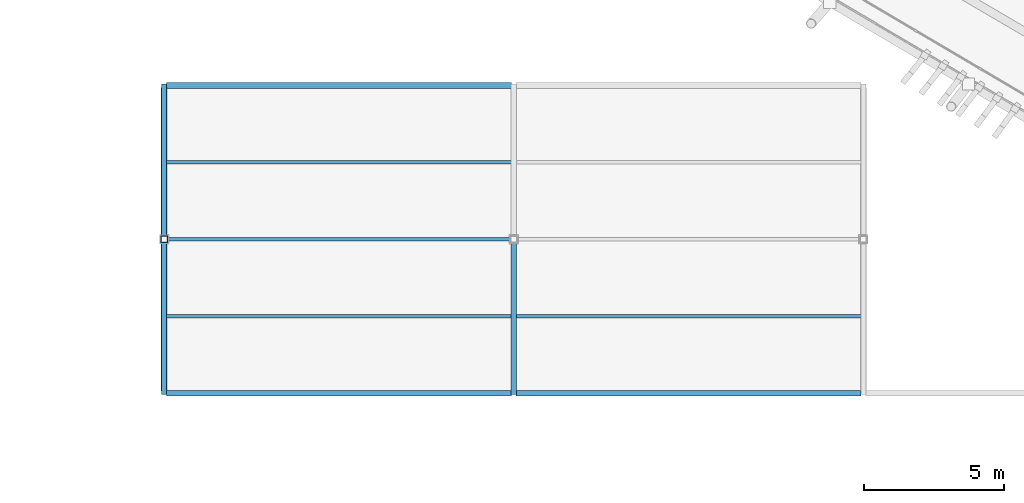
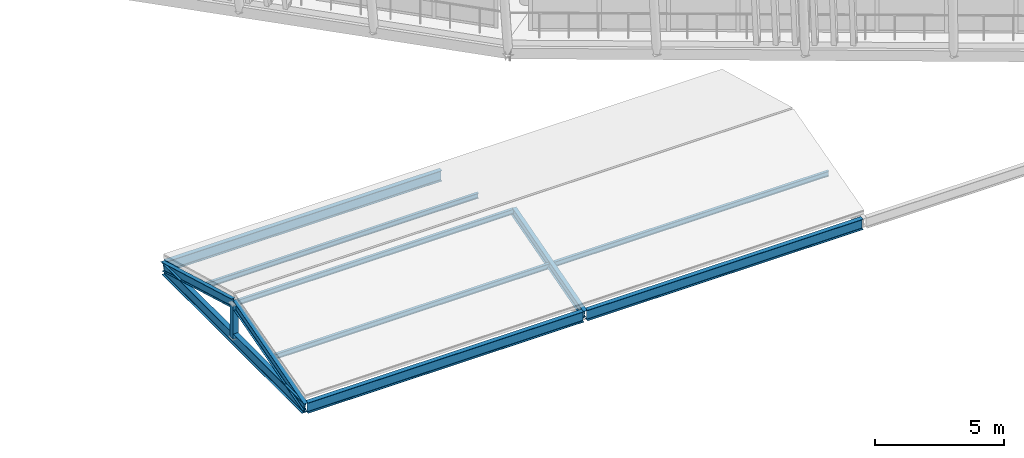
# One storey, part 23 of 179: 8 members, 4 beams.
"""IFC4 building model written with IfcOpenShell, lengths in metres."""

from ifc_helpers import new_model, si_unit, direction, frame, origin, origin_2d, place, context, subcontext, project, spatial, hollow_rectangle, i_section, extrude, material, material_profile, profile_set, type_object, element, save


model = new_model("IFC4")

# Units and contexts
model_context = context("Model", 3, precision=1e-05, world=origin(), true_north=direction((0.0, 1.0)))
body_context = subcontext(model_context, "Body", "Model", "MODEL_VIEW")
ifc_project = project(units=[si_unit("LENGTHUNIT", "METRE"), si_unit("AREAUNIT", "SQUARE_METRE"), si_unit("VOLUMEUNIT", "CUBIC_METRE"), si_unit("PLANEANGLEUNIT", "RADIAN"), si_unit("MASSUNIT", "GRAM", prefix="KILO")], contexts=[model_context])

# Site, building, storey
site_placement = place(None, origin())
site = spatial("IfcSite", under=ifc_project, at=site_placement, CompositionType="ELEMENT")
building_placement = place(site_placement, origin())
building = spatial("IfcBuilding", under=site, at=building_placement, Name="Zlatoyarsky Gate Stadium", CompositionType="ELEMENT")
storey_placement = place(building_placement, frame((0.0, 0.0, 10.60009765625)))
storey = spatial("IfcBuildingStorey", under=building, at=storey_placement, Name="L02", CompositionType="ELEMENT", Elevation=10.60009765625)

# Beams
ifc_material = material(Name="Steel S355", Category="steel")
ifc_material_profile_1 = material_profile(ifc_material, i_section(OverallWidth=0.199951171875, OverallDepth=0.5, WebThickness=0.01025390625, FlangeThickness=0.01611328125, FilletRadius=0.02099609375, at=origin_2d()), Name="IPE 500")
ifc_profile_set_1 = profile_set([ifc_material_profile_1], Name="Steel S355")
beam_type_1 = type_object("IfcBeamType", Name="STEEL FLOOR BEAM IPE 500", PredefinedType="BEAM", material=ifc_profile_set_1)
for number, where, z_axis, x_axis, name in (
    (1, (24.580078125, 11.0, -0.530029296875), (1.0, 0.0, 0.0), (0.0, 1.0, 0.0), "Beam B-IPE500 BM-L02-WGX-3-B"),
    (2, (24.580078125, 22.0, -0.530029296875), (1.0, 0.0, 0.0), (0.0, 1.0, 0.0), "Beam B-IPE500 BM-L02-WGX-3-C"),
    (3, (37.080078125, 11.0, -0.530029296875), (1.0, 0.0, 0.0), (0.0, 1.0, 0.0), "Beam B-IPE500 BM-L02-WGX-4-B"),
):
    element("IfcBeam", number, at=place(storey_placement, frame(where, z_axis=z_axis, x_axis=x_axis)), inside=storey, type_object=beam_type_1, Name=name, PredefinedType="BEAM", context=body_context, shape_type="SweptSolid", body=[
        extrude(i_section(OverallWidth=0.199951171875, OverallDepth=0.5, WebThickness=0.01025390625, FlangeThickness=0.01611328125, FilletRadius=0.02099609375, at=origin_2d()), origin(), (0.0, 0.0, 1.0), 12.33984375),
    ])
ifc_material_profile_2 = material_profile(ifc_material, i_section(OverallWidth=0.2099609375, OverallDepth=0.550048828125, WebThickness=0.010986328125, FlangeThickness=0.01708984375, FilletRadius=0.02392578125, at=origin_2d()), Name="IPE 550")
ifc_profile_set_2 = profile_set([ifc_material_profile_2], Name="Steel S355")
beam_type_2 = type_object("IfcBeamType", Name="STEEL FLOOR BEAM IPE 550", PredefinedType="BEAM", material=ifc_profile_set_2)
beam_placement = place(storey_placement, frame((24.5, 11.080078125, -0.55517578125), z_axis=(0.0, 1.0, 0.0), x_axis=(-1.0, 0.0, 0.0)))
element("IfcBeam", 4, at=beam_placement, inside=storey, type_object=beam_type_2, Name="Beam B-IPE550 BM-L02-WGY-3-B", PredefinedType="BEAM", context=body_context, shape_type="SweptSolid", body=[
    extrude(i_section(OverallWidth=0.2099609375, OverallDepth=0.550048828125, WebThickness=0.010986328125, FlangeThickness=0.01708984375, FilletRadius=0.02392578125, at=origin_2d()), origin(), (0.0, 0.0, 1.0), 10.83984375),
])

# Members
ifc_material_profile_3 = material_profile(ifc_material, i_section(OverallWidth=0.1201171875, OverallDepth=0.239990234375, WebThickness=0.006103515625, FlangeThickness=0.009765625, FilletRadius=0.014892578125, at=origin_2d()), Name="IPE 240")
ifc_profile_set_3 = profile_set([ifc_material_profile_3], Name="Steel S355")
member_type_1 = type_object("IfcMemberType", Name="STEEL PAVILION ROOF PURLIN IPE 240", PredefinedType="PURLIN", material=ifc_profile_set_3)
for number, where, z_axis, x_axis, name in (
    (5, (24.5, 16.5, 1.06982421875), (1.0, 0.0, 0.0), (0.0, 1.0, 0.0), "V6_SW ridge purlin 1"),
    (6, (24.5, 13.75, 0.14501953125), (1.0, 0.0, 0.0), (0.0, 1.0, 0.0), "V6_SW roof purlin 1S"),
    (7, (24.5, 19.25, 0.14501953125), (1.0, 0.0, 0.0), (0.0, 1.0, 0.0), "V6_SW roof purlin 1N"),
    (8, (37.0, 13.75, 0.14501953125), (1.0, 0.0, 0.0), (0.0, 1.0, 0.0), "V6_SW roof purlin 2S"),
):
    element("IfcMember", number, at=place(storey_placement, frame(where, z_axis=z_axis, x_axis=x_axis)), inside=storey, type_object=member_type_1, Name=name, PredefinedType="PURLIN", context=body_context, shape_type="SweptSolid", body=[
        extrude(i_section(OverallWidth=0.1201171875, OverallDepth=0.239990234375, WebThickness=0.006103515625, FlangeThickness=0.009765625, FilletRadius=0.014892578125, at=origin_2d()), origin(), (0.0, 0.0, 1.0), 12.5),
    ])
ifc_material_profile_4 = material_profile(ifc_material, i_section(OverallWidth=0.179931640625, OverallDepth=0.39990234375, WebThickness=0.008544921875, FlangeThickness=0.013427734375, FilletRadius=0.02099609375, at=origin_2d()), Name="IPE 400")
ifc_profile_set_4 = profile_set([ifc_material_profile_4], Name="Steel S355")
member_type_2 = type_object("IfcMemberType", Name="STEEL PAVILION ROOF RAFTER IPE 400", PredefinedType="RAFTER", material=ifc_profile_set_4)
for number, where, z_axis, x_axis, name in (
    (9, (24.5, 11.0, -0.5), (0.0, 0.961598006641, 0.274461789005), (-1.0, 0.0, 0.0), "V6_SW roof rafter 1A"),
    (10, (24.5, 22.0, -0.5), (0.0, -0.961598006641, 0.274461789005), (1.0, 0.0, 0.0), "V6_SW roof rafter 1B"),
    (11, (37.0, 11.0, -0.5), (0.0, 0.961598006641, 0.274461789005), (-1.0, 0.0, 0.0), "V6_SW roof rafter 2A"),
):
    element("IfcMember", number, at=place(storey_placement, frame(where, z_axis=z_axis, x_axis=x_axis)), inside=storey, type_object=member_type_2, Name=name, PredefinedType="RAFTER", context=body_context, shape_type="SweptSolid", body=[
        extrude(i_section(OverallWidth=0.179931640625, OverallDepth=0.39990234375, WebThickness=0.008544921875, FlangeThickness=0.013427734375, FilletRadius=0.02099609375, at=origin_2d()), origin(), (0.0, 0.0, 1.0), 5.7197265625),
    ])
ifc_material_profile_5 = material_profile(ifc_material, hollow_rectangle(XDim=0.25, YDim=0.25, WallThickness=0.01611328125, at=origin_2d()), Name="SHS 250X250X16")
ifc_profile_set_5 = profile_set([ifc_material_profile_5], Name="Steel S355")
member_type_3 = type_object("IfcMemberType", Name="STEEL PAVILION TRUSS STRUT SHS 250X250X16", PredefinedType="STRUT", material=ifc_profile_set_5)
member_placement = place(storey_placement, frame((24.5, 16.5, -0.530029296875), z_axis=(0.0, 0.0, 1.0), x_axis=(1.0, 0.0, 0.0)))
element("IfcMember", 12, at=member_placement, inside=storey, type_object=member_type_3, Name="V6_SW king post strut 1", PredefinedType="STRUT", context=body_context, shape_type="SweptSolid", body=[
    extrude(hollow_rectangle(XDim=0.25, YDim=0.25, WallThickness=0.01611328125, at=origin_2d()), origin(), (0.0, 0.0, 1.0), 1.599853515625),
])

save(model, "model.ifc")
